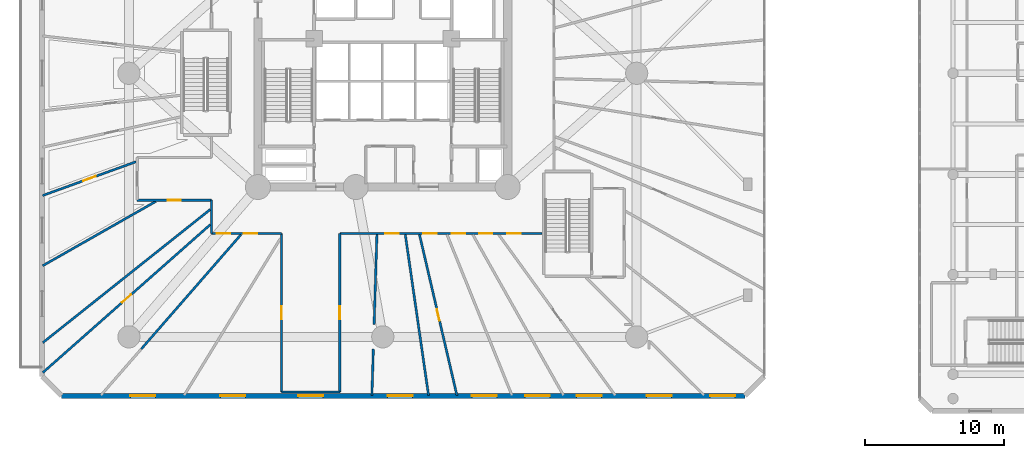
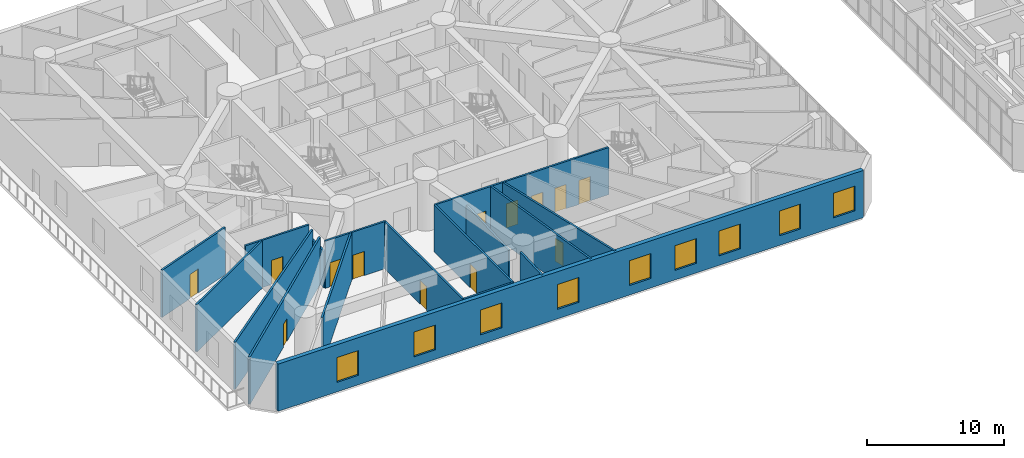
# One storey, part 13 of 26: 17 walls, 13 doors, 9 windows, 22 openings.
"""IFC4 building model written with IfcOpenShell, lengths in metres."""

from ifc_helpers import new_model, si_unit, direction, frame, frame_2d, origin, origin_with_axes, place, context, subcontext, project, spatial, rectangle, extrude, source, transform, mapped, material, layer, layer_set, type_object, element, fill, save


model = new_model("IFC4")

# Units and contexts
model_context = context("Model", 3, precision=1e-05, world=origin(), true_north=direction((0.0, 1.0)))
body_context = subcontext(model_context, "Body", "Model", "MODEL_VIEW")
ifc_project = project(units=[si_unit("LENGTHUNIT", "METRE"), si_unit("AREAUNIT", "SQUARE_METRE"), si_unit("VOLUMEUNIT", "CUBIC_METRE"), si_unit("PLANEANGLEUNIT", "RADIAN"), si_unit("MASSUNIT", "GRAM", prefix="KILO")], contexts=[model_context])

# Site, building, storey
site_placement = place(None, origin())
site = spatial("IfcSite", under=ifc_project, at=site_placement, CompositionType="ELEMENT")
building_placement = place(site_placement, origin())
building = spatial("IfcBuilding", under=site, at=building_placement, Name="Karkom Vertical University and Central Library", CompositionType="ELEMENT")
storey_placement = place(building_placement, frame((0.0, 0.0, 9.0)))
storey = spatial("IfcBuildingStorey", under=building, at=storey_placement, Name="L02", CompositionType="ELEMENT", Elevation=9.0)

# Wall, openings, windows
ifc_material_1 = material(Name="Brick masonry 360mm insulated cavity", Category="masonry")
ifc_layer_1 = layer(ifc_material_1, 0.360107421875)
ifc_layer_set_1 = layer_set([ifc_layer_1], Name="Brick masonry 360mm insulated cavity")
wall_type_1 = type_object("IfcWallType", Name="ENV-WL-BRK-360", PredefinedType="SOLIDWALL", material=ifc_layer_set_1)
wall_1_placement = place(storey_placement, frame((5.35009765625, 3.25, 0.0), z_axis=(0.0, 0.0, 1.0), x_axis=(1.0, 0.0, 0.0)))
wall_1 = element("IfcWall", 1, at=wall_1_placement, inside=storey, type_object=wall_type_1, Name="Level 02 POD Terracotta Brick Facade Wall 01", PredefinedType="SOLIDWALL", context=body_context, shape_type="SweptSolid", body=[
    extrude(rectangle(XDim=49.25, YDim=0.360107421875, at=frame_2d((24.625, 0.0))), origin(), (0.0, 0.0, 1.0), 4.199951171875),
])
opening_1_placement = place(wall_1_placement, frame((4.952392578125, 0.0, 0.85009765625)))
opening_1 = element("IfcOpeningElement", 2, at=opening_1_placement, cuts=wall_1, Name="Opening WN-01", PredefinedType="OPENING", context=body_context, shape_type="SweptSolid", body=[
    extrude(rectangle(XDim=1.800048828125, YDim=2.199951171875, at=frame_2d((0.89990234375, 1.10009765625))), frame((0.0, 0.18994140625, 0.0), z_axis=(0.0, -1.0, 0.0), x_axis=(1.0, 0.0, 0.0)), (0.0, 0.0, 1.0), 0.380126953125),
])
opening_2_placement = place(wall_1_placement, frame((11.44970703125, 0.0, 0.85009765625)))
opening_2 = element("IfcOpeningElement", 3, at=opening_2_placement, cuts=wall_1, Name="Opening WN-01", PredefinedType="OPENING", context=body_context, shape_type="SweptSolid", body=[
    extrude(rectangle(XDim=1.800048828125, YDim=2.199951171875, at=frame_2d((0.89990234375, 1.10009765625))), frame((0.0, 0.18994140625, 0.0), z_axis=(0.0, -1.0, 0.0), x_axis=(1.0, 0.0, 0.0)), (0.0, 0.0, 1.0), 0.380126953125),
])
opening_3_placement = place(wall_1_placement, frame((17.050048828125, 0.0, 0.85009765625)))
opening_3 = element("IfcOpeningElement", 4, at=opening_3_placement, cuts=wall_1, Name="Opening WN-01", PredefinedType="OPENING", context=body_context, shape_type="SweptSolid", body=[
    extrude(rectangle(XDim=1.800048828125, YDim=2.199951171875, at=frame_2d((0.89990234375, 1.10009765625))), frame((0.0, 0.18994140625, 0.0), z_axis=(0.0, -1.0, 0.0), x_axis=(1.0, 0.0, 0.0)), (0.0, 0.0, 1.0), 0.380126953125),
])
opening_4_placement = place(wall_1_placement, frame((23.5048828125, 0.0, 0.85009765625)))
opening_4 = element("IfcOpeningElement", 5, at=opening_4_placement, cuts=wall_1, Name="Opening WN-01", PredefinedType="OPENING", context=body_context, shape_type="SweptSolid", body=[
    extrude(rectangle(XDim=1.800048828125, YDim=2.199951171875, at=frame_2d((0.89990234375, 1.10009765625))), frame((0.0, 0.18994140625, 0.0), z_axis=(0.0, -1.0, 0.0), x_axis=(1.0, 0.0, 0.0)), (0.0, 0.0, 1.0), 0.380126953125),
])
opening_5_placement = place(wall_1_placement, frame((29.56689453125, 0.0, 0.85009765625)))
opening_5 = element("IfcOpeningElement", 6, at=opening_5_placement, cuts=wall_1, Name="Opening WN-01", PredefinedType="OPENING", context=body_context, shape_type="SweptSolid", body=[
    extrude(rectangle(XDim=1.800048828125, YDim=2.199951171875, at=frame_2d((0.89990234375, 1.10009765625))), frame((0.0, 0.18994140625, 0.0), z_axis=(0.0, -1.0, 0.0), x_axis=(1.0, 0.0, 0.0)), (0.0, 0.0, 1.0), 0.380126953125),
])
opening_6_placement = place(wall_1_placement, frame((33.402099609375, 0.0, 0.85009765625)))
opening_6 = element("IfcOpeningElement", 7, at=opening_6_placement, cuts=wall_1, Name="Opening WN-01", PredefinedType="OPENING", context=body_context, shape_type="SweptSolid", body=[
    extrude(rectangle(XDim=1.800048828125, YDim=2.199951171875, at=frame_2d((0.89990234375, 1.10009765625))), frame((0.0, 0.18994140625, 0.0), z_axis=(0.0, -1.0, 0.0), x_axis=(1.0, 0.0, 0.0)), (0.0, 0.0, 1.0), 0.380126953125),
])
opening_7_placement = place(wall_1_placement, frame((37.1181640625, 0.0, 0.85009765625)))
opening_7 = element("IfcOpeningElement", 8, at=opening_7_placement, cuts=wall_1, Name="Opening WN-01", PredefinedType="OPENING", context=body_context, shape_type="SweptSolid", body=[
    extrude(rectangle(XDim=1.800048828125, YDim=2.199951171875, at=frame_2d((0.89990234375, 1.10009765625))), frame((0.0, 0.18994140625, 0.0), z_axis=(0.0, -1.0, 0.0), x_axis=(1.0, 0.0, 0.0)), (0.0, 0.0, 1.0), 0.380126953125),
])
opening_8_placement = place(wall_1_placement, frame((42.17138671875, 0.0, 0.85009765625)))
opening_8 = element("IfcOpeningElement", 9, at=opening_8_placement, cuts=wall_1, Name="Opening WN-01", PredefinedType="OPENING", context=body_context, shape_type="SweptSolid", body=[
    extrude(rectangle(XDim=1.800048828125, YDim=2.199951171875, at=frame_2d((0.89990234375, 1.10009765625))), frame((0.0, 0.18994140625, 0.0), z_axis=(0.0, -1.0, 0.0), x_axis=(1.0, 0.0, 0.0)), (0.0, 0.0, 1.0), 0.380126953125),
])
opening_9_placement = place(wall_1_placement, frame((46.741943359375, 0.0, 0.85009765625)))
opening_9 = element("IfcOpeningElement", 10, at=opening_9_placement, cuts=wall_1, Name="Opening WN-01", PredefinedType="OPENING", context=body_context, shape_type="SweptSolid", body=[
    extrude(rectangle(XDim=1.800048828125, YDim=2.199951171875, at=frame_2d((0.89990234375, 1.10009765625))), frame((0.0, 0.18994140625, 0.0), z_axis=(0.0, -1.0, 0.0), x_axis=(1.0, 0.0, 0.0)), (0.0, 0.0, 1.0), 0.380126953125),
])
ifc_material_2 = material(Name="Aluminium thermal-break frame with solar-control IGU", Category="aluminium")
window_type = type_object("IfcWindowType", Name="ENV-WIN-WN-01", PartitioningType="SINGLE_PANEL", PredefinedType="WINDOW", material=ifc_material_2)
shared_shape_1 = source(origin_with_axes(), body_context, "Body", "SweptSolid", [
    extrude(rectangle(XDim=1.800048828125, YDim=2.199951171875, at=frame_2d((0.89990234375, 1.10009765625))), frame((0.0, 0.030029296875, 0.0), z_axis=(0.0, -1.0, 0.0), x_axis=(1.0, 0.0, 0.0)), (0.0, 0.0, 1.0), 0.06005859375),
])
window_1_placement = place(opening_1_placement, origin())
window_1 = element("IfcWindow", 11, at=window_1_placement, inside=storey, type_object=window_type, Name="Level 02 POD Punched Window 01", OverallHeight=2.199951171875, OverallWidth=1.800048828125, PartitioningType="SINGLE_PANEL", PredefinedType="WINDOW", context=body_context, shape_type="MappedRepresentation", body=[
    mapped(shared_shape_1, transform((0.0, 0.0, 0.0), scale=1.0)),
])
fill(opening_1, window_1)
window_2_placement = place(opening_2_placement, origin())
window_2 = element("IfcWindow", 12, at=window_2_placement, inside=storey, type_object=window_type, Name="Level 02 POD Punched Window 02", OverallHeight=2.199951171875, OverallWidth=1.800048828125, PartitioningType="SINGLE_PANEL", PredefinedType="WINDOW", context=body_context, shape_type="MappedRepresentation", body=[
    mapped(shared_shape_1, transform((0.0, 0.0, 0.0), scale=1.0)),
])
fill(opening_2, window_2)
window_3_placement = place(opening_3_placement, origin())
window_3 = element("IfcWindow", 13, at=window_3_placement, inside=storey, type_object=window_type, Name="Level 02 POD Punched Window 03", OverallHeight=2.199951171875, OverallWidth=1.800048828125, PartitioningType="SINGLE_PANEL", PredefinedType="WINDOW", context=body_context, shape_type="MappedRepresentation", body=[
    mapped(shared_shape_1, transform((0.0, 0.0, 0.0), scale=1.0)),
])
fill(opening_3, window_3)
window_4_placement = place(opening_4_placement, origin())
window_4 = element("IfcWindow", 14, at=window_4_placement, inside=storey, type_object=window_type, Name="Level 02 POD Punched Window 04", OverallHeight=2.199951171875, OverallWidth=1.800048828125, PartitioningType="SINGLE_PANEL", PredefinedType="WINDOW", context=body_context, shape_type="MappedRepresentation", body=[
    mapped(shared_shape_1, transform((0.0, 0.0, 0.0), scale=1.0)),
])
fill(opening_4, window_4)
window_5_placement = place(opening_5_placement, origin())
window_5 = element("IfcWindow", 15, at=window_5_placement, inside=storey, type_object=window_type, Name="Level 02 POD Punched Window 05", OverallHeight=2.199951171875, OverallWidth=1.800048828125, PartitioningType="SINGLE_PANEL", PredefinedType="WINDOW", context=body_context, shape_type="MappedRepresentation", body=[
    mapped(shared_shape_1, transform((0.0, 0.0, 0.0), scale=1.0)),
])
fill(opening_5, window_5)
window_6_placement = place(opening_6_placement, origin())
window_6 = element("IfcWindow", 16, at=window_6_placement, inside=storey, type_object=window_type, Name="Level 02 POD Punched Window 06", OverallHeight=2.199951171875, OverallWidth=1.800048828125, PartitioningType="SINGLE_PANEL", PredefinedType="WINDOW", context=body_context, shape_type="MappedRepresentation", body=[
    mapped(shared_shape_1, transform((0.0, 0.0, 0.0), scale=1.0)),
])
fill(opening_6, window_6)
window_7_placement = place(opening_7_placement, origin())
window_7 = element("IfcWindow", 17, at=window_7_placement, inside=storey, type_object=window_type, Name="Level 02 POD Punched Window 07", OverallHeight=2.199951171875, OverallWidth=1.800048828125, PartitioningType="SINGLE_PANEL", PredefinedType="WINDOW", context=body_context, shape_type="MappedRepresentation", body=[
    mapped(shared_shape_1, transform((0.0, 0.0, 0.0), scale=1.0)),
])
fill(opening_7, window_7)
window_8_placement = place(opening_8_placement, origin())
window_8 = element("IfcWindow", 18, at=window_8_placement, inside=storey, type_object=window_type, Name="Level 02 POD Punched Window 08", OverallHeight=2.199951171875, OverallWidth=1.800048828125, PartitioningType="SINGLE_PANEL", PredefinedType="WINDOW", context=body_context, shape_type="MappedRepresentation", body=[
    mapped(shared_shape_1, transform((0.0, 0.0, 0.0), scale=1.0)),
])
fill(opening_8, window_8)
window_9_placement = place(opening_9_placement, origin())
window_9 = element("IfcWindow", 19, at=window_9_placement, inside=storey, type_object=window_type, Name="Level 02 POD Punched Window 09", OverallHeight=2.199951171875, OverallWidth=1.800048828125, PartitioningType="SINGLE_PANEL", PredefinedType="WINDOW", context=body_context, shape_type="MappedRepresentation", body=[
    mapped(shared_shape_1, transform((0.0, 0.0, 0.0), scale=1.0)),
])
fill(opening_9, window_9)

# Wall, opening, door
ifc_material_3 = material(Name="Insulated metal-stud drywall 160mm", Category="gypsum")
ifc_layer_2 = layer(ifc_material_3, 0.159912109375)
ifc_layer_set_2 = layer_set([ifc_layer_2], Name="Insulated metal-stud drywall 160mm")
wall_type_2 = type_object("IfcWallType", Name="INT-WL-COR-160", PredefinedType="PARTITIONING", material=ifc_layer_set_2)
wall_2_placement = place(storey_placement, frame((16.068115234375, 15.593994140625, 0.0), z_axis=(0.0, 0.0, 1.0), x_axis=(-0.749344293453, -0.662180587052, 0.0)))
wall_2 = element("IfcWall", 20, at=wall_2_placement, inside=storey, type_object=wall_type_2, Name="Level 02 Interior Partition Wall Level 02-PODW-06-07-1", PredefinedType="PARTITIONING", context=body_context, shape_type="SweptSolid", body=[
    extrude(rectangle(XDim=16.11669921875, YDim=0.159912109375, at=frame_2d((8.058349609375, 0.0))), origin(), (0.0, 0.0, 1.0), 4.199951171875),
])
opening_10_placement = place(wall_2_placement, frame((7.628173828125, 0.0, 0.0)))
opening_10 = element("IfcOpeningElement", 21, at=opening_10_placement, cuts=wall_2, Name="Opening FD-BTH2", PredefinedType="OPENING", context=body_context, shape_type="SweptSolid", body=[
    extrude(rectangle(XDim=0.860107421875, YDim=2.0400390625, at=frame_2d((0.43017578125, 1.02001953125))), frame((0.0, 0.08984375, 0.0), z_axis=(0.0, -1.0, 0.0), x_axis=(1.0, 0.0, 0.0)), (0.0, 0.0, 1.0), 0.179931640625),
])
ifc_material_4 = material(Name="Fire-rated moisture-resistant oak door", Category="wood")
door_type_1 = type_object("IfcDoorType", Name="INT-DR-FBTH2", OperationType="NOTDEFINED", PredefinedType="DOOR", material=ifc_material_4)
shared_shape_2 = source(origin_with_axes(), body_context, "Body", "SweptSolid", [
    extrude(rectangle(XDim=0.860107421875, YDim=2.0400390625, at=frame_2d((0.43017578125, 1.02001953125))), frame((0.0, 0.02490234375, 0.0), z_axis=(0.0, -1.0, 0.0), x_axis=(1.0, 0.0, 0.0)), (0.0, 0.0, 1.0), 0.050048828125),
])
door_1_placement = place(opening_10_placement, origin())
door_1 = element("IfcDoor", 22, at=door_1_placement, inside=storey, type_object=door_type_1, Name="Level 02 Digital Fabrication Classroom Entry Door", OperationType="SINGLE_SWING_RIGHT", OverallHeight=2.0400390625, OverallWidth=0.860107421875, PredefinedType="DOOR", context=body_context, shape_type="MappedRepresentation", body=[
    mapped(shared_shape_2, transform((0.0, 0.0, 0.0), scale=1.0)),
])
fill(opening_10, door_1)

# Wall
wall_3_placement = place(storey_placement, frame((16.068115234375, 16.687255859375, 0.0), z_axis=(0.0, 0.0, 1.0), x_axis=(-0.782592647396, -0.622534134198, 0.0)))
element("IfcWall", 23, at=wall_3_placement, inside=storey, type_object=wall_type_2, Name="Level 02 Interior Partition Wall Level 02-PODW-05-06-1", PredefinedType="PARTITIONING", context=body_context, shape_type="SweptSolid", body=[
    extrude(rectangle(XDim=15.434814453125, YDim=0.159912109375, at=frame_2d((7.71728515625, 0.0))), origin(), (0.0, 0.0, 1.0), 4.199951171875),
])

# Wall, openings, doors
wall_4_placement = place(storey_placement, frame((39.988037109375, 14.949951171875, 0.0), z_axis=(0.0, 0.0, 1.0), x_axis=(-1.0, 0.0, 0.0)))
wall_4 = element("IfcWall", 24, at=wall_4_placement, inside=storey, type_object=wall_type_2, Name="Level 02 Interior Partition Wall Level 02-PDCW-CW-010", PredefinedType="PARTITIONING", context=body_context, shape_type="SweptSolid", body=[
    extrude(rectangle(XDim=14.588134765625, YDim=0.159912109375, at=frame_2d((7.2939453125, 0.0))), origin(), (0.0, 0.0, 1.0), 4.199951171875),
])
opening_11_placement = place(wall_4_placement, frame((10.340087890625, 0.0, 0.0)))
opening_11 = element("IfcOpeningElement", 25, at=opening_11_placement, cuts=wall_4, Name="Opening FD-RM2", PredefinedType="OPENING", context=body_context, shape_type="SweptSolid", body=[
    extrude(rectangle(XDim=0.9599609375, YDim=2.14990234375, at=frame_2d((0.47998046875, 1.074951171875))), frame((0.0, 0.08984375, 0.0), z_axis=(0.0, -1.0, 0.0), x_axis=(1.0, 0.0, 0.0)), (0.0, 0.0, 1.0), 0.179931640625),
])
opening_12_placement = place(wall_4_placement, frame((7.60791015625, 0.0, 0.0)))
opening_12 = element("IfcOpeningElement", 26, at=opening_12_placement, cuts=wall_4, Name="Opening FD-RM2", PredefinedType="OPENING", context=body_context, shape_type="SweptSolid", body=[
    extrude(rectangle(XDim=0.9599609375, YDim=2.14990234375, at=frame_2d((0.47998046875, 1.074951171875))), frame((0.0, 0.08984375, 0.0), z_axis=(0.0, -1.0, 0.0), x_axis=(1.0, 0.0, 0.0)), (0.0, 0.0, 1.0), 0.179931640625),
])
opening_13_placement = place(wall_4_placement, frame((5.544921875, 0.0, 0.0)))
opening_13 = element("IfcOpeningElement", 27, at=opening_13_placement, cuts=wall_4, Name="Opening FD-RM2", PredefinedType="OPENING", context=body_context, shape_type="SweptSolid", body=[
    extrude(rectangle(XDim=0.9599609375, YDim=2.14990234375, at=frame_2d((0.47998046875, 1.074951171875))), frame((0.0, 0.08984375, 0.0), z_axis=(0.0, -1.0, 0.0), x_axis=(1.0, 0.0, 0.0)), (0.0, 0.0, 1.0), 0.179931640625),
])
opening_14_placement = place(wall_4_placement, frame((3.58203125, 0.0, 0.0)))
opening_14 = element("IfcOpeningElement", 28, at=opening_14_placement, cuts=wall_4, Name="Opening FD-RM2", PredefinedType="OPENING", context=body_context, shape_type="SweptSolid", body=[
    extrude(rectangle(XDim=0.9599609375, YDim=2.14990234375, at=frame_2d((0.47998046875, 1.074951171875))), frame((0.0, 0.08984375, 0.0), z_axis=(0.0, -1.0, 0.0), x_axis=(1.0, 0.0, 0.0)), (0.0, 0.0, 1.0), 0.179931640625),
])
opening_15_placement = place(wall_4_placement, frame((1.5400390625, 0.0, 0.0)))
opening_15 = element("IfcOpeningElement", 29, at=opening_15_placement, cuts=wall_4, Name="Opening FD-RM2", PredefinedType="OPENING", context=body_context, shape_type="SweptSolid", body=[
    extrude(rectangle(XDim=0.9599609375, YDim=2.14990234375, at=frame_2d((0.47998046875, 1.074951171875))), frame((0.0, 0.08984375, 0.0), z_axis=(0.0, -1.0, 0.0), x_axis=(1.0, 0.0, 0.0)), (0.0, 0.0, 1.0), 0.179931640625),
])
ifc_material_5 = material(Name="Fire-rated oak veneer door", Category="wood")
door_type_2 = type_object("IfcDoorType", Name="INT-DR-FRM2", OperationType="NOTDEFINED", PredefinedType="DOOR", material=ifc_material_5)
shared_shape_3 = source(origin_with_axes(), body_context, "Body", "SweptSolid", [
    extrude(rectangle(XDim=0.9599609375, YDim=2.14990234375, at=frame_2d((0.47998046875, 1.074951171875))), frame((0.0, 0.02490234375, 0.0), z_axis=(0.0, -1.0, 0.0), x_axis=(1.0, 0.0, 0.0)), (0.0, 0.0, 1.0), 0.050048828125),
])
door_2_placement = place(opening_11_placement, origin())
door_2 = element("IfcDoor", 30, at=door_2_placement, inside=storey, type_object=door_type_2, Name="Level 02 Room Entry Door 810", OperationType="SINGLE_SWING_RIGHT", OverallHeight=2.14990234375, OverallWidth=0.9599609375, PredefinedType="DOOR", context=body_context, shape_type="MappedRepresentation", body=[
    mapped(shared_shape_3, transform((0.0, 0.0, 0.0), scale=1.0)),
])
fill(opening_11, door_2)
door_3_placement = place(opening_12_placement, origin())
door_3 = element("IfcDoor", 31, at=door_3_placement, inside=storey, type_object=door_type_2, Name="Level 02 Room Entry Door 811", OperationType="SINGLE_SWING_LEFT", OverallHeight=2.14990234375, OverallWidth=0.9599609375, PredefinedType="DOOR", context=body_context, shape_type="MappedRepresentation", body=[
    mapped(shared_shape_3, transform((0.0, 0.0, 0.0), scale=1.0)),
])
fill(opening_12, door_3)
door_4_placement = place(opening_13_placement, origin())
door_4 = element("IfcDoor", 32, at=door_4_placement, inside=storey, type_object=door_type_2, Name="Level 02 Room Entry Door 812", OperationType="SINGLE_SWING_RIGHT", OverallHeight=2.14990234375, OverallWidth=0.9599609375, PredefinedType="DOOR", context=body_context, shape_type="MappedRepresentation", body=[
    mapped(shared_shape_3, transform((0.0, 0.0, 0.0), scale=1.0)),
])
fill(opening_13, door_4)
door_5_placement = place(opening_14_placement, origin())
door_5 = element("IfcDoor", 33, at=door_5_placement, inside=storey, type_object=door_type_2, Name="Level 02 Room Entry Door 813", OperationType="SINGLE_SWING_LEFT", OverallHeight=2.14990234375, OverallWidth=0.9599609375, PredefinedType="DOOR", context=body_context, shape_type="MappedRepresentation", body=[
    mapped(shared_shape_3, transform((0.0, 0.0, 0.0), scale=1.0)),
])
fill(opening_14, door_5)
door_6_placement = place(opening_15_placement, origin())
door_6 = element("IfcDoor", 34, at=door_6_placement, inside=storey, type_object=door_type_2, Name="Level 02 Room Entry Door 814", OperationType="SINGLE_SWING_RIGHT", OverallHeight=2.14990234375, OverallWidth=0.9599609375, PredefinedType="DOOR", context=body_context, shape_type="MappedRepresentation", body=[
    mapped(shared_shape_3, transform((0.0, 0.0, 0.0), scale=1.0)),
])
fill(opening_15, door_6)

# Wall, opening, door
wall_5_placement = place(storey_placement, frame((31.142822265625, 14.882568359375, 0.0), z_axis=(0.0, 0.0, 1.0), x_axis=(0.226739949046, -0.973955335478, 0.0)))
wall_5 = element("IfcWall", 35, at=wall_5_placement, inside=storey, type_object=wall_type_2, Name="Level 02 Interior Partition Wall Level 02-PODW-12-13-1", PredefinedType="PARTITIONING", context=body_context, shape_type="SweptSolid", body=[
    extrude(rectangle(XDim=11.916259765625, YDim=0.159912109375, at=frame_2d((5.9580078125, 0.0))), origin(), (0.0, 0.0, 1.0), 4.199951171875),
])
opening_16_placement = place(wall_5_placement, frame((5.5283203125, 0.0, 0.0)))
opening_16 = element("IfcOpeningElement", 36, at=opening_16_placement, cuts=wall_5, Name="Opening FD-BTH2", PredefinedType="OPENING", context=body_context, shape_type="SweptSolid", body=[
    extrude(rectangle(XDim=0.860107421875, YDim=2.0400390625, at=frame_2d((0.43017578125, 1.02001953125))), frame((0.0, 0.08984375, 0.0), z_axis=(0.0, -1.0, 0.0), x_axis=(1.0, 0.0, 0.0)), (0.0, 0.0, 1.0), 0.179931640625),
])
door_7_placement = place(opening_16_placement, origin())
door_7 = element("IfcDoor", 37, at=door_7_placement, inside=storey, type_object=door_type_1, Name="Level 02 Faculty Board Meeting Room Entry Door", OperationType="SINGLE_SWING_LEFT", OverallHeight=2.0400390625, OverallWidth=0.860107421875, PredefinedType="DOOR", context=body_context, shape_type="MappedRepresentation", body=[
    mapped(shared_shape_2, transform((0.0, 0.0, 0.0), scale=1.0)),
])
fill(opening_16, door_7)

# Wall
wall_6_placement = place(storey_placement, frame((30.122314453125, 14.867919921875, 0.0), z_axis=(0.0, 0.0, 1.0), x_axis=(0.143174917622, -0.989697399696, 0.0)))
element("IfcWall", 38, at=wall_6_placement, inside=storey, type_object=wall_type_2, Name="Level 02 Interior Partition Wall Level 02-PODW-11-12-1", PredefinedType="PARTITIONING", context=body_context, shape_type="SweptSolid", body=[
    extrude(rectangle(XDim=11.712890625, YDim=0.159912109375, at=frame_2d((5.8564453125, 0.0))), origin(), (0.0, 0.0, 1.0), 4.199951171875),
])

# Wall, opening, door
wall_7_placement = place(storey_placement, frame((25.39990234375, 14.949951171875, 0.0), z_axis=(0.0, 0.0, 1.0), x_axis=(0.0, -1.0, 0.0)))
wall_7 = element("IfcWall", 39, at=wall_7_placement, inside=storey, type_object=wall_type_2, Name="Level 02 Interior Partition Wall Level 02-PDCW-CW-011", PredefinedType="PARTITIONING", context=body_context, shape_type="SweptSolid", body=[
    extrude(rectangle(XDim=11.419921875, YDim=0.159912109375, at=frame_2d((5.7099609375, 0.0))), origin(), (0.0, 0.0, 1.0), 4.199951171875),
])
opening_17_placement = place(wall_7_placement, frame((5.235107421875, 0.0, 0.0)))
opening_17 = element("IfcOpeningElement", 40, at=opening_17_placement, cuts=wall_7, Name="Opening FD-RM2", PredefinedType="OPENING", context=body_context, shape_type="SweptSolid", body=[
    extrude(rectangle(XDim=0.9599609375, YDim=2.14990234375, at=frame_2d((0.47998046875, 1.074951171875))), frame((0.0, 0.08984375, 0.0), z_axis=(0.0, -1.0, 0.0), x_axis=(1.0, 0.0, 0.0)), (0.0, 0.0, 1.0), 0.179931640625),
])
door_8_placement = place(opening_17_placement, origin())
door_8 = element("IfcDoor", 41, at=door_8_placement, inside=storey, type_object=door_type_2, Name="Level 02 Room Entry Door 809", OperationType="SINGLE_SWING_LEFT", OverallHeight=2.14990234375, OverallWidth=0.9599609375, PredefinedType="DOOR", context=body_context, shape_type="MappedRepresentation", body=[
    mapped(shared_shape_3, transform((0.0, 0.0, 0.0), scale=1.0)),
])
fill(opening_17, door_8)

wall_8_placement = place(storey_placement, frame((21.199951171875, 3.530029296875, 0.0), z_axis=(0.0, 0.0, 1.0), x_axis=(0.0, 1.0, 0.0)))
wall_8 = element("IfcWall", 42, at=wall_8_placement, inside=storey, type_object=wall_type_2, Name="Level 02 Interior Partition Wall Level 02-PDCW-CW-013", PredefinedType="PARTITIONING", context=body_context, shape_type="SweptSolid", body=[
    extrude(rectangle(XDim=11.419921875, YDim=0.159912109375, at=frame_2d((5.7099609375, 0.0))), origin(), (0.0, 0.0, 1.0), 4.199951171875),
])
opening_18_placement = place(wall_8_placement, frame((5.235107421875, 0.0, 0.0)))
opening_18 = element("IfcOpeningElement", 43, at=opening_18_placement, cuts=wall_8, Name="Opening FD-RM2", PredefinedType="OPENING", context=body_context, shape_type="SweptSolid", body=[
    extrude(rectangle(XDim=0.9599609375, YDim=2.14990234375, at=frame_2d((0.47998046875, 1.074951171875))), frame((0.0, 0.08984375, 0.0), z_axis=(0.0, -1.0, 0.0), x_axis=(1.0, 0.0, 0.0)), (0.0, 0.0, 1.0), 0.179931640625),
])
door_9_placement = place(opening_18_placement, origin())
door_9 = element("IfcDoor", 44, at=door_9_placement, inside=storey, type_object=door_type_2, Name="Level 02 Room Entry Door 808", OperationType="SINGLE_SWING_RIGHT", OverallHeight=2.14990234375, OverallWidth=0.9599609375, PredefinedType="DOOR", context=body_context, shape_type="MappedRepresentation", body=[
    mapped(shared_shape_3, transform((0.0, 0.0, 0.0), scale=1.0)),
])
fill(opening_18, door_9)

# Walls
wall_9_placement = place(storey_placement, frame((18.27734375, 14.867919921875, 0.0), z_axis=(0.0, 0.0, 1.0), x_axis=(-0.657226588959, -0.753693048108, 0.0)))
element("IfcWall", 45, at=wall_9_placement, inside=storey, type_object=wall_type_2, Name="Level 02 Interior Partition Wall Level 02-PODW-07-08-1", PredefinedType="PARTITIONING", context=body_context, shape_type="SweptSolid", body=[
    extrude(rectangle(XDim=10.935791015625, YDim=0.159912109375, at=frame_2d((5.4677734375, 0.0))), origin(), (0.0, 0.0, 1.0), 4.199951171875),
])
wall_10_placement = place(storey_placement, frame((12.14599609375, 17.26806640625, 0.0), z_axis=(0.0, 0.0, 1.0), x_axis=(-0.869250906181, -0.494371178472, 0.0)))
element("IfcWall", 46, at=wall_10_placement, inside=storey, type_object=wall_type_2, Name="Level 02 Interior Partition Wall Level 02-PODW-04-05-1", PredefinedType="PARTITIONING", context=body_context, shape_type="SweptSolid", body=[
    extrude(rectangle(XDim=9.390380859375, YDim=0.159912109375, at=frame_2d((4.6953125, 0.0))), origin(), (0.0, 0.0, 1.0), 4.199951171875),
])

# Wall, opening, door
wall_11_placement = place(storey_placement, frame((10.718017578125, 20.12646484375, 0.0), z_axis=(0.0, 0.0, 1.0), x_axis=(-0.940278821487, -0.340405255339, 0.0)))
wall_11 = element("IfcWall", 47, at=wall_11_placement, inside=storey, type_object=wall_type_2, Name="Level 02 Interior Partition Wall Level 02-PODW-03-04-1", PredefinedType="PARTITIONING", context=body_context, shape_type="SweptSolid", body=[
    extrude(rectangle(XDim=7.1669921875, YDim=0.159912109375, at=frame_2d((3.58349609375, 0.0))), origin(), (0.0, 0.0, 1.0), 4.199951171875),
])
opening_19_placement = place(wall_11_placement, frame((3.091064453125, 0.0, 0.0)))
opening_19 = element("IfcOpeningElement", 48, at=opening_19_placement, cuts=wall_11, Name="Opening FD-RM2", PredefinedType="OPENING", context=body_context, shape_type="SweptSolid", body=[
    extrude(rectangle(XDim=0.9599609375, YDim=2.14990234375, at=frame_2d((0.47998046875, 1.074951171875))), frame((0.0, 0.08984375, 0.0), z_axis=(0.0, -1.0, 0.0), x_axis=(1.0, 0.0, 0.0)), (0.0, 0.0, 1.0), 0.179931640625),
])
door_10_placement = place(opening_19_placement, origin())
door_10 = element("IfcDoor", 49, at=door_10_placement, inside=storey, type_object=door_type_2, Name="Level 02 Room Entry Door 802", OperationType="SINGLE_SWING_LEFT", OverallHeight=2.14990234375, OverallWidth=0.9599609375, PredefinedType="DOOR", context=body_context, shape_type="MappedRepresentation", body=[
    mapped(shared_shape_3, transform((0.0, 0.0, 0.0), scale=1.0)),
])
fill(opening_19, door_10)

# Wall
wall_12_placement = place(storey_placement, frame((28.076904296875, 14.883056640625, 0.0), z_axis=(0.0, 0.0, 1.0), x_axis=(-0.031230059298, -0.999512222735, 0.0)))
element("IfcWall", 50, at=wall_12_placement, inside=storey, type_object=wall_type_2, Name="Level 02 Interior Partition Wall Level 02-PODW-10-11-1", PredefinedType="PARTITIONING", context=body_context, shape_type="SweptSolid", body=[
    extrude(rectangle(XDim=6.496337890625, YDim=0.159912109375, at=frame_2d((3.248046875, 0.0))), origin(), (0.0, 0.0, 1.0), 3.25),
])

# Wall, opening, door
wall_13_placement = place(storey_placement, frame((16.14990234375, 17.35009765625, 0.0), z_axis=(0.0, 0.0, 1.0), x_axis=(-1.0, 0.0, 0.0)))
wall_13 = element("IfcWall", 51, at=wall_13_placement, inside=storey, type_object=wall_type_2, Name="Level 02 Interior Partition Wall Level 02-PDCW-CW-016", PredefinedType="PARTITIONING", context=body_context, shape_type="SweptSolid", body=[
    extrude(rectangle(XDim=5.349853515625, YDim=0.159912109375, at=frame_2d((2.6748046875, 0.0))), origin(), (0.0, 0.0, 1.0), 4.199951171875),
])
opening_20_placement = place(wall_13_placement, frame((2.199951171875, 0.0, 0.0)))
opening_20 = element("IfcOpeningElement", 52, at=opening_20_placement, cuts=wall_13, Name="Opening FD-RM2", PredefinedType="OPENING", context=body_context, shape_type="SweptSolid", body=[
    extrude(rectangle(XDim=0.9599609375, YDim=2.14990234375, at=frame_2d((0.47998046875, 1.074951171875))), frame((0.0, 0.08984375, 0.0), z_axis=(0.0, -1.0, 0.0), x_axis=(1.0, 0.0, 0.0)), (0.0, 0.0, 1.0), 0.179931640625),
])
door_11_placement = place(opening_20_placement, origin())
door_11 = element("IfcDoor", 53, at=door_11_placement, inside=storey, type_object=door_type_2, Name="Level 02 Room Entry Door 804", OperationType="SINGLE_SWING_LEFT", OverallHeight=2.14990234375, OverallWidth=0.9599609375, PredefinedType="DOOR", context=body_context, shape_type="MappedRepresentation", body=[
    mapped(shared_shape_3, transform((0.0, 0.0, 0.0), scale=1.0)),
])
fill(opening_20, door_11)

# Wall, openings, doors
wall_14_placement = place(storey_placement, frame((21.199951171875, 14.949951171875, 0.0), z_axis=(0.0, 0.0, 1.0), x_axis=(-1.0, 0.0, 0.0)))
wall_14 = element("IfcWall", 54, at=wall_14_placement, inside=storey, type_object=wall_type_2, Name="Level 02 Interior Partition Wall Level 02-PDCW-CW-014", PredefinedType="PARTITIONING", context=body_context, shape_type="SweptSolid", body=[
    extrude(rectangle(XDim=5.050048828125, YDim=0.159912109375, at=frame_2d((2.52490234375, 0.0))), origin(), (0.0, 0.0, 1.0), 4.199951171875),
])
opening_21_placement = place(wall_14_placement, frame((3.697509765625, 0.0, 0.0)))
opening_21 = element("IfcOpeningElement", 55, at=opening_21_placement, cuts=wall_14, Name="Opening FD-RM2", PredefinedType="OPENING", context=body_context, shape_type="SweptSolid", body=[
    extrude(rectangle(XDim=0.9599609375, YDim=2.14990234375, at=frame_2d((0.47998046875, 1.074951171875))), frame((0.0, 0.08984375, 0.0), z_axis=(0.0, -1.0, 0.0), x_axis=(1.0, 0.0, 0.0)), (0.0, 0.0, 1.0), 0.179931640625),
])
opening_22_placement = place(wall_14_placement, frame((1.760009765625, 0.0, 0.0)))
opening_22 = element("IfcOpeningElement", 56, at=opening_22_placement, cuts=wall_14, Name="Opening FD-RM2", PredefinedType="OPENING", context=body_context, shape_type="SweptSolid", body=[
    extrude(rectangle(XDim=0.9599609375, YDim=2.14990234375, at=frame_2d((0.47998046875, 1.074951171875))), frame((0.0, 0.08984375, 0.0), z_axis=(0.0, -1.0, 0.0), x_axis=(1.0, 0.0, 0.0)), (0.0, 0.0, 1.0), 0.179931640625),
])
door_12_placement = place(opening_21_placement, origin())
door_12 = element("IfcDoor", 57, at=door_12_placement, inside=storey, type_object=door_type_2, Name="Level 02 Room Entry Door 806", OperationType="SINGLE_SWING_RIGHT", OverallHeight=2.14990234375, OverallWidth=0.9599609375, PredefinedType="DOOR", context=body_context, shape_type="MappedRepresentation", body=[
    mapped(shared_shape_3, transform((0.0, 0.0, 0.0), scale=1.0)),
])
fill(opening_21, door_12)
door_13_placement = place(opening_22_placement, origin())
door_13 = element("IfcDoor", 58, at=door_13_placement, inside=storey, type_object=door_type_2, Name="Level 02 Room Entry Door 807", OperationType="SINGLE_SWING_LEFT", OverallHeight=2.14990234375, OverallWidth=0.9599609375, PredefinedType="DOOR", context=body_context, shape_type="MappedRepresentation", body=[
    mapped(shared_shape_3, transform((0.0, 0.0, 0.0), scale=1.0)),
])
fill(opening_22, door_13)

# Walls
wall_15_placement = place(storey_placement, frame((25.39990234375, 3.530029296875, 0.0), z_axis=(0.0, 0.0, 1.0), x_axis=(-1.0, 0.0, 0.0)))
element("IfcWall", 59, at=wall_15_placement, inside=storey, type_object=wall_type_2, Name="Level 02 Interior Partition Wall Level 02-PDCW-CW-012", PredefinedType="PARTITIONING", context=body_context, shape_type="SweptSolid", body=[
    extrude(rectangle(XDim=4.199951171875, YDim=0.159912109375, at=frame_2d((2.10009765625, 0.0))), origin(), (0.0, 0.0, 1.0), 4.199951171875),
])
wall_16_placement = place(storey_placement, frame((27.818359375, 6.610107421875, 0.0), z_axis=(0.0, 0.0, 1.0), x_axis=(-0.031168510747, -0.999514143941, 0.0)))
element("IfcWall", 60, at=wall_16_placement, inside=storey, type_object=wall_type_2, Name="Level 02 Interior Partition Wall Level 02-PODW-10-11-2", PredefinedType="PARTITIONING", context=body_context, shape_type="SweptSolid", body=[
    extrude(rectangle(XDim=3.3369140625, YDim=0.159912109375, at=frame_2d((1.66845703125, 0.0))), origin(), (0.0, 0.0, 1.0), 4.199951171875),
])
wall_17_placement = place(storey_placement, frame((16.14990234375, 14.949951171875, 0.0), z_axis=(0.0, 0.0, 1.0), x_axis=(0.0, 1.0, 0.0)))
element("IfcWall", 61, at=wall_17_placement, inside=storey, type_object=wall_type_2, Name="Level 02 Interior Partition Wall Level 02-PDCW-CW-015", PredefinedType="PARTITIONING", context=body_context, shape_type="SweptSolid", body=[
    extrude(rectangle(XDim=2.400146484375, YDim=0.159912109375, at=frame_2d((1.2001953125, 0.0))), origin(), (0.0, 0.0, 1.0), 3.25),
])

save(model, "model.ifc")
